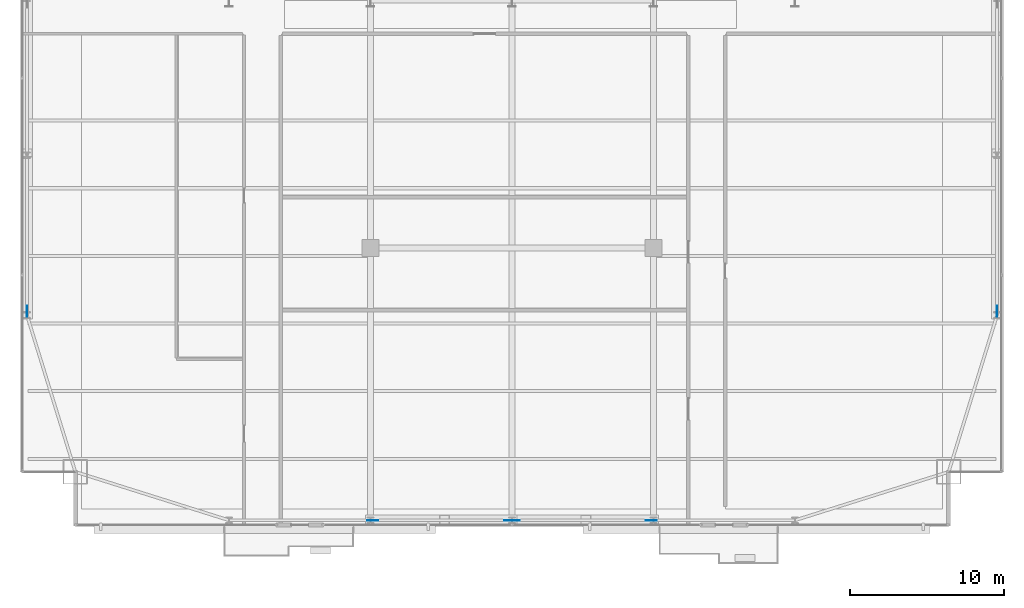
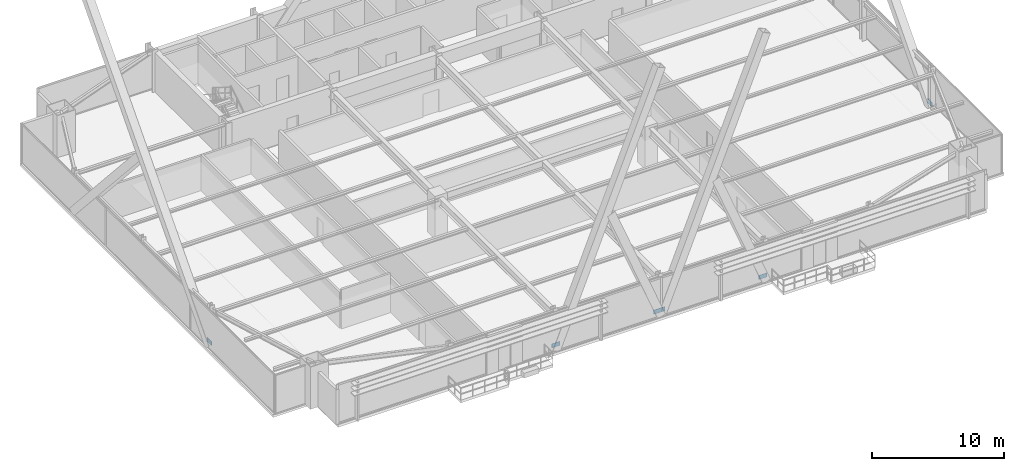
# One storey, part 26 of 32: 6 plates.
"""IFC4 building model written with IfcOpenShell, lengths in metres."""

from ifc_helpers import new_model, si_unit, direction, frame, origin, origin_2d, place, context, subcontext, project, spatial, rectangle, extrude, source, transform, mapped, material, layer, layer_set, type_object, type_shapes, element, save


model = new_model("IFC4")

# Units and contexts
model_context = context("Model", 3, precision=1e-05, world=origin(), true_north=direction((0.0, 1.0)))
body_context = subcontext(model_context, "Body", "Model", "MODEL_VIEW")
ifc_project = project(units=[si_unit("LENGTHUNIT", "METRE"), si_unit("AREAUNIT", "SQUARE_METRE"), si_unit("VOLUMEUNIT", "CUBIC_METRE"), si_unit("PLANEANGLEUNIT", "RADIAN"), si_unit("MASSUNIT", "GRAM", prefix="KILO")], contexts=[model_context])

# Site, building, storey
site_placement = place(None, origin())
site = spatial("IfcSite", under=ifc_project, at=site_placement, CompositionType="ELEMENT")
building_placement = place(site_placement, origin())
building = spatial("IfcBuilding", under=site, at=building_placement, Name="Varnel Quay Broadcast Tower", CompositionType="ELEMENT")
storey_placement = place(building_placement, frame((0.0, 0.0, 58.800048828125)))
storey = spatial("IfcBuildingStorey", under=building, at=storey_placement, Name="L13", CompositionType="ELEMENT", Elevation=58.800048828125)

# Plates
ifc_material = material(Name="Structural Steel CSA G40.21 350WT", Category="steel")
ifc_layer = layer(ifc_material, 0.031982421875, Name="Structural Steel CSA G40.21 350WT")
ifc_layer_set = layer_set([ifc_layer], Name="Structural Steel CSA G40.21 350WT")
plate_type = type_object("IfcPlateType", Name="Plate_EndCap", PredefinedType="USERDEFINED", material=ifc_layer_set)
shared_shape = source(origin(), body_context, "Body", "SweptSolid", [
    extrude(rectangle(XDim=0.719970703125, YDim=0.031982421875, at=origin_2d()), origin(), (0.0, 0.0, 1.0), 0.3798828125),
])
type_shapes(plate_type, [shared_shape])
for number, where, z_axis, x_axis, name in (
    (1, (24.94091796875, 1.64990234375, 0.182861328125), (0.0, 0.0, 1.0), (1.0, 0.0, 0.0), "Zone 1 Mega-Brace S-C1T3 Diag A End Connection Plate P0"),
    (2, (33.859130859375, 1.64990234375, 0.182861328125), (0.0, 0.0, 1.0), (1.0, 0.0, 0.0), "Zone 1 Mega-Brace S-C1T3 Diag B1 End Connection Plate P0"),
    (3, (34.140869140625, 1.64990234375, 0.182861328125), (0.0, 0.0, 1.0), (1.0, 0.0, 0.0), "Zone 1 Mega-Brace S-C2T3 Diag A End Connection Plate P0"),
    (4, (43.05908203125, 1.64990234375, 0.182861328125), (0.0, 0.0, 1.0), (1.0, 0.0, 0.0), "Zone 1 Mega-Brace S-C2T3 Diag B1 End Connection Plate P0"),
    (5, (2.449951171875, 15.25341796875, 0.11328125), (0.0, 0.0, 1.0), (0.0, 1.0, 0.0), "Zone 1 Mega-Brace W-FT3 Diag A End Connection Plate P0"),
    (6, (65.550048828125, 15.25341796875, 0.11328125), (0.0, 0.0, 1.0), (0.0, 1.0, 0.0), "Zone 1 Mega-Brace E-FT3 Diag A End Connection Plate P0"),
):
    element("IfcPlate", number, at=place(storey_placement, frame(where, z_axis=z_axis, x_axis=x_axis)), inside=storey, type_object=plate_type, Name=name, ObjectType="CAP_PLATE", PredefinedType="USERDEFINED", context=body_context, shape_type="MappedRepresentation", body=[
        mapped(shared_shape, transform((0.0, 0.0, 0.0), x_axis=(1.0, 0.0, 0.0), y_axis=(0.0, 1.0, 0.0), z_axis=(0.0, 0.0, 1.0), scale=1.0)),
    ])

save(model, "model.ifc")
